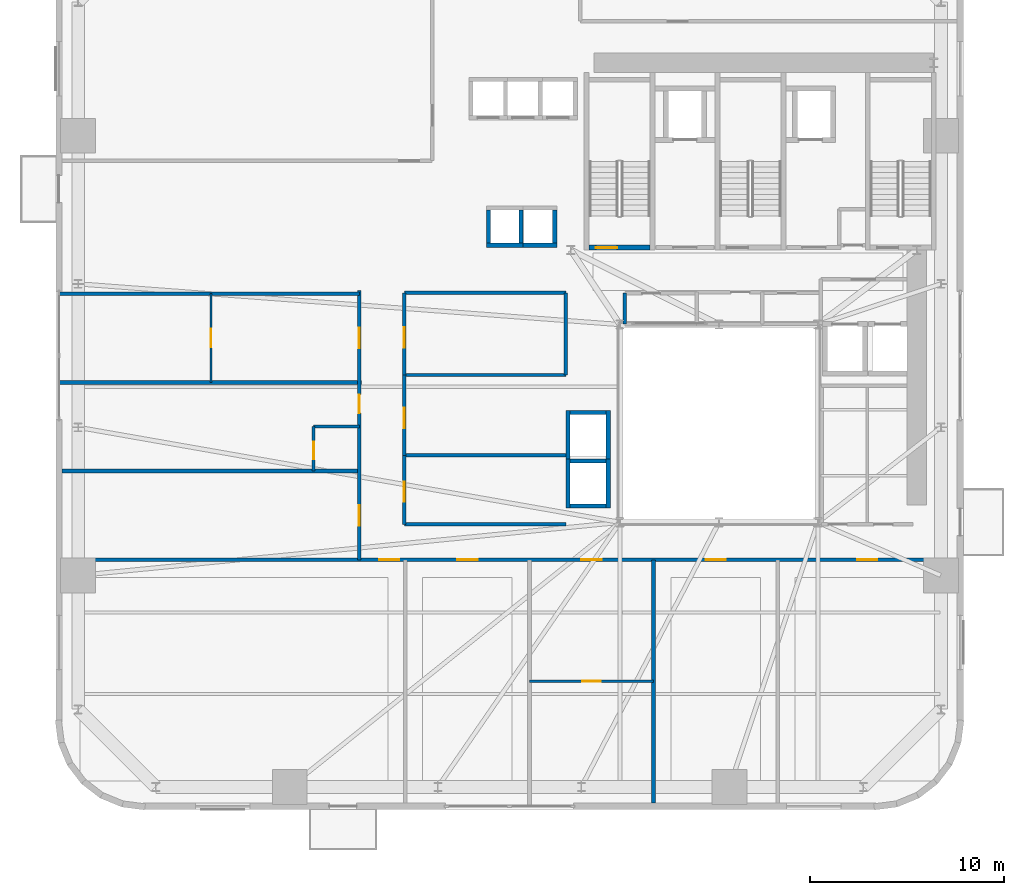
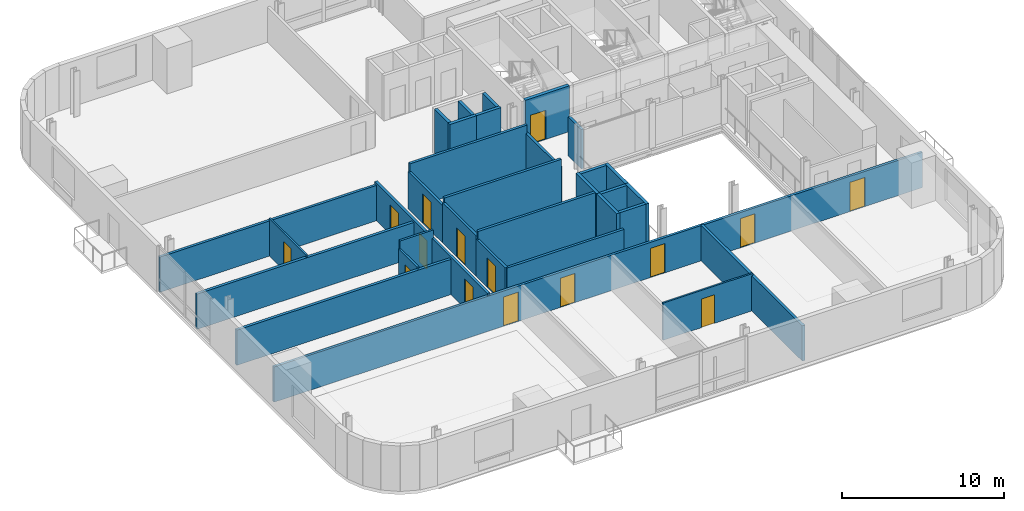
# One storey, part 6 of 13: 32 walls, 15 doors, 15 openings.
"""IFC4 building model written with IfcOpenShell, lengths in metres."""

from ifc_helpers import new_model, si_unit, direction, frame, frame_2d, origin, place, context, subcontext, project, spatial, rectangle, extrude, source, transform, mapped, material, layer, layer_set, type_object, element, fill, save


model = new_model("IFC4")

# Units and contexts
model_context = context("Model", 3, precision=1e-05, world=origin(), true_north=direction((0.0, 1.0)))
body_context = subcontext(model_context, "Body", "Model", "MODEL_VIEW")
ifc_project = project(units=[si_unit("LENGTHUNIT", "METRE"), si_unit("AREAUNIT", "SQUARE_METRE"), si_unit("VOLUMEUNIT", "CUBIC_METRE"), si_unit("PLANEANGLEUNIT", "RADIAN"), si_unit("MASSUNIT", "GRAM", prefix="KILO")], contexts=[model_context])

# Site, building, storey
site_placement = place(None, origin())
site = spatial("IfcSite", under=ifc_project, at=site_placement, CompositionType="ELEMENT")
building_placement = place(site_placement, origin())
building = spatial("IfcBuilding", under=site, at=building_placement, Name="Vardaveli Station Tower", CompositionType="ELEMENT")
storey_placement = place(building_placement, frame((0.0, 0.0, 34.89990234375)))
storey = spatial("IfcBuildingStorey", under=building, at=storey_placement, Name="L08", CompositionType="ELEMENT", Elevation=34.89990234375)

# Wall, opening, door
ifc_material_1 = material(Name="Concrete C40/50", Category="concrete")
ifc_layer_1 = layer(ifc_material_1, 0.25, Name="Concrete C40/50")
ifc_layer_set_1 = layer_set([ifc_layer_1], Name="Concrete C40/50")
wall_type_1 = type_object("IfcWallType", Name="WAL-SHAFT-250", PredefinedType="SOLIDWALL", material=ifc_layer_set_1)
shared_shape_1 = source(origin(), body_context, "Body", "SweptSolid", [
    extrude(rectangle(XDim=3.14990234375, YDim=0.25, at=frame_2d((1.574951171875, 0.0))), origin(), (0.0, 0.0, 1.0), 3.4501953125),
])
wall_1_placement = place(storey_placement, frame((29.60009765625, 30.77490234375, 0.0), z_axis=(0.0, 0.0, 1.0), x_axis=(1.0, 0.0, 0.0)))
wall_1 = element("IfcWall", 1, at=wall_1_placement, inside=storey, type_object=wall_type_1, Name="W-L08-ST-1S", PredefinedType="SOLIDWALL", context=body_context, shape_type="MappedRepresentation", body=[
    mapped(shared_shape_1, transform((0.0, 0.0, 0.0), scale=1.0)),
])
shared_shape_2 = source(origin(), body_context, "Body", "SweptSolid", [
    extrude(rectangle(XDim=1.10009765625, YDim=2.199951171875, at=frame_2d((0.550048828125, 1.10009765625))), frame((0.0, 0.135009765625, 0.0), z_axis=(0.0, -1.0, 0.0), x_axis=(1.0, 0.0, 0.0)), (0.0, 0.0, 1.0), 0.27001953125),
])
opening_1_placement = place(wall_1_placement, frame((0.35009765625, 0.0, 0.0)))
opening_1 = element("IfcOpeningElement", 2, at=opening_1_placement, cuts=wall_1, Name="Opening D-04", PredefinedType="OPENING", context=body_context, shape_type="MappedRepresentation", body=[
    mapped(shared_shape_2, transform((0.0, 0.0, 0.0), scale=1.0)),
])
ifc_material_2 = material(Name="Steel smokeproof fire doorset", Category="steel")
door_type_1 = type_object("IfcDoorType", Name="DR-ST-1100x2200", OperationType="NOTDEFINED", PredefinedType="DOOR", material=ifc_material_2)
shared_shape_3 = source(origin(), body_context, "Body", "SweptSolid", [
    extrude(rectangle(XDim=1.10009765625, YDim=2.199951171875, at=frame_2d((0.550048828125, 1.10009765625))), frame((0.0, 0.02490234375, 0.0), z_axis=(0.0, -1.0, 0.0), x_axis=(1.0, 0.0, 0.0)), (0.0, 0.0, 1.0), 0.050048828125),
])
door_1_placement = place(opening_1_placement, origin())
door_1 = element("IfcDoor", 3, at=door_1_placement, inside=storey, type_object=door_type_1, Name="DST-1-L08", OperationType="SINGLE_SWING_LEFT", OverallHeight=2.199951171875, OverallWidth=1.10009765625, PredefinedType="DOOR", context=body_context, shape_type="MappedRepresentation", body=[
    mapped(shared_shape_3, transform((0.0, 0.0, 0.0), scale=1.0)),
])
fill(opening_1, door_1)

# Walls
ifc_layer_2 = layer(ifc_material_1, 0.219970703125, Name="Concrete C40/50")
ifc_layer_set_2 = layer_set([ifc_layer_2], Name="Concrete C40/50")
wall_type_2 = type_object("IfcWallType", Name="WAL-FFLOBBY-220", PredefinedType="SOLIDWALL", material=ifc_layer_set_2)
shared_shape_4 = source(origin(), body_context, "Body", "SweptSolid", [
    extrude(rectangle(XDim=1.89013671875, YDim=0.219970703125, at=frame_2d((0.945068359375, 0.0))), origin(), (0.0, 0.0, 1.0), 3.41015625),
])
for number, where, z_axis, x_axis, name in (
    (4, (24.304931640625, 30.889892578125, 0.0), (0.0, 0.0, 1.0), (1.0, 0.0, 0.0), "SHW-SHU-01-L08-S"),
    (5, (26.054931640625, 30.889892578125, 0.0), (0.0, 0.0, 1.0), (1.0, 0.0, 0.0), "SHW-SHU-02-L08-S"),
):
    element("IfcWall", number, at=place(storey_placement, frame(where, z_axis=z_axis, x_axis=x_axis)), inside=storey, type_object=wall_type_2, Name=name, PredefinedType="SOLIDWALL", context=body_context, shape_type="MappedRepresentation", body=[
        mapped(shared_shape_4, transform((0.0, 0.0, 0.0), scale=1.0)),
    ])
shared_shape_5 = source(origin(), body_context, "Body", "SweptSolid", [
    extrude(rectangle(XDim=1.699951171875, YDim=0.219970703125, at=frame_2d((0.85009765625, 0.0))), origin(), (0.0, 0.0, 1.0), 3.41015625),
])
for number, where, z_axis, x_axis, name in (
    (6, (24.4150390625, 31.0, 0.0), (0.0, 0.0, 1.0), (0.0, 1.0, 0.0), "SHW-SHU-01-L08-W"),
    (7, (26.0849609375, 31.0, 0.0), (0.0, 0.0, 1.0), (0.0, 1.0, 0.0), "SHW-SHU-01-L08-E"),
    (8, (27.8349609375, 31.0, 0.0), (0.0, 0.0, 1.0), (0.0, 1.0, 0.0), "SHW-SHU-02-L08-E"),
):
    element("IfcWall", number, at=place(storey_placement, frame(where, z_axis=z_axis, x_axis=x_axis)), inside=storey, type_object=wall_type_2, Name=name, PredefinedType="SOLIDWALL", context=body_context, shape_type="MappedRepresentation", body=[
        mapped(shared_shape_5, transform((0.0, 0.0, 0.0), scale=1.0)),
    ])
shared_shape_6 = source(origin(), body_context, "Body", "SweptSolid", [
    extrude(rectangle(XDim=1.85009765625, YDim=0.219970703125, at=frame_2d((0.925048828125, 0.0))), origin(), (0.0, 0.0, 1.0), 3.41015625),
])
for number, where, z_axis, x_axis, name in (
    (9, (28.625, 17.43994140625, 0.0), (0.0, 0.0, 1.0), (1.0, 0.0, 0.0), "SHW-OBS-01-L08-S"),
    (10, (28.625, 19.760009765625, 0.0), (0.0, 0.0, 1.0), (1.0, 0.0, 0.0), "SHW-OBS-01-L08-N"),
    (11, (28.625, 22.260009765625, 0.0), (0.0, 0.0, 1.0), (1.0, 0.0, 0.0), "SHW-OBS-02-L08-N"),
):
    element("IfcWall", number, at=place(storey_placement, frame(where, z_axis=z_axis, x_axis=x_axis)), inside=storey, type_object=wall_type_2, Name=name, PredefinedType="SOLIDWALL", context=body_context, shape_type="MappedRepresentation", body=[
        mapped(shared_shape_6, transform((0.0, 0.0, 0.0), scale=1.0)),
    ])
shared_shape_7 = source(origin(), body_context, "Body", "SweptSolid", [
    extrude(rectangle(XDim=2.5400390625, YDim=0.219970703125, at=frame_2d((1.27001953125, 0.0))), origin(), (0.0, 0.0, 1.0), 3.41015625),
])
for number, where, z_axis, x_axis, name in (
    (12, (28.514892578125, 17.330078125, 0.0), (0.0, 0.0, 1.0), (0.0, 1.0, 0.0), "SHW-OBS-01-L08-W"),
    (13, (30.5849609375, 17.330078125, 0.0), (0.0, 0.0, 1.0), (0.0, 1.0, 0.0), "SHW-OBS-01-L08-E"),
    (14, (28.514892578125, 19.830078125, 0.0), (0.0, 0.0, 1.0), (0.0, 1.0, 0.0), "SHW-OBS-02-L08-W"),
    (15, (30.5849609375, 19.830078125, 0.0), (0.0, 0.0, 1.0), (0.0, 1.0, 0.0), "SHW-OBS-02-L08-E"),
):
    element("IfcWall", number, at=place(storey_placement, frame(where, z_axis=z_axis, x_axis=x_axis)), inside=storey, type_object=wall_type_2, Name=name, PredefinedType="SOLIDWALL", context=body_context, shape_type="MappedRepresentation", body=[
        mapped(shared_shape_7, transform((0.0, 0.0, 0.0), scale=1.0)),
    ])

# Wall, openings, doors
ifc_material_3 = material(Name="Fire-rated gypsum stud partition")
ifc_layer_3 = layer(ifc_material_3, 0.179931640625, Name="Fire-rated gypsum stud partition")
ifc_layer_set_3 = layer_set([ifc_layer_3], Name="Fire-rated gypsum stud partition")
wall_type_3 = type_object("IfcWallType", Name="WAL-CORR-180", PredefinedType="PARTITIONING", material=ifc_layer_set_3)
shared_shape_8 = source(origin(), body_context, "Body", "SweptSolid", [
    extrude(rectangle(XDim=13.89013671875, YDim=0.179931640625, at=frame_2d((6.945068359375, 0.0))), origin(), (0.0, 0.0, 1.0), 2.802001953125),
])
wall_2_placement = place(storey_placement, frame((17.75, 14.659912109375, 0.0), z_axis=(0.0, 0.0, 1.0), x_axis=(0.0, 1.0, 0.0)))
wall_2 = element("IfcWall", 16, at=wall_2_placement, inside=storey, type_object=wall_type_3, Name="W-L08-CW", PredefinedType="PARTITIONING", context=body_context, shape_type="MappedRepresentation", body=[
    mapped(shared_shape_8, transform((0.0, 0.0, 0.0), scale=1.0)),
])
shared_shape_9 = source(origin(), body_context, "Body", "SweptSolid", [
    extrude(rectangle(XDim=1.050048828125, YDim=2.199951171875, at=frame_2d((0.52490234375, 1.10009765625))), frame((0.0, 0.10009765625, 0.0), z_axis=(0.0, -1.0, 0.0), x_axis=(1.0, 0.0, 0.0)), (0.0, 0.0, 1.0), 0.199951171875),
])
opening_2_placement = place(wall_2_placement, frame((1.77001953125, 0.0, 0.0)))
opening_2 = element("IfcOpeningElement", 17, at=opening_2_placement, cuts=wall_2, Name="Opening D-05", PredefinedType="OPENING", context=body_context, shape_type="MappedRepresentation", body=[
    mapped(shared_shape_9, transform((0.0, 0.0, 0.0), scale=1.0)),
])
shared_shape_10 = source(origin(), body_context, "Body", "SweptSolid", [
    extrude(rectangle(XDim=0.949951171875, YDim=2.14990234375, at=frame_2d((0.47509765625, 1.074951171875))), frame((0.0, 0.10009765625, 0.0), z_axis=(0.0, -1.0, 0.0), x_axis=(1.0, 0.0, 0.0)), (0.0, 0.0, 1.0), 0.199951171875),
])
opening_3_placement = place(wall_2_placement, frame((7.574951171875, 0.0, 0.0)))
opening_3 = element("IfcOpeningElement", 18, at=opening_3_placement, cuts=wall_2, Name="Opening D-06", PredefinedType="OPENING", context=body_context, shape_type="MappedRepresentation", body=[
    mapped(shared_shape_10, transform((0.0, 0.0, 0.0), scale=1.0)),
])
opening_4_placement = place(wall_2_placement, frame((10.929931640625, 0.0, 0.0)))
opening_4 = element("IfcOpeningElement", 19, at=opening_4_placement, cuts=wall_2, Name="Opening D-05", PredefinedType="OPENING", context=body_context, shape_type="MappedRepresentation", body=[
    mapped(shared_shape_9, transform((0.0, 0.0, 0.0), scale=1.0)),
])
ifc_material_4 = material(Name="Walnut veneer acoustic fire door")
door_type_2 = type_object("IfcDoorType", Name="DR-SUITE-1050x2200", OperationType="NOTDEFINED", PredefinedType="DOOR", material=ifc_material_4)
shared_shape_11 = source(origin(), body_context, "Body", "SweptSolid", [
    extrude(rectangle(XDim=1.050048828125, YDim=2.199951171875, at=frame_2d((0.52490234375, 1.10009765625))), frame((0.0, 0.02490234375, 0.0), z_axis=(0.0, -1.0, 0.0), x_axis=(1.0, 0.0, 0.0)), (0.0, 0.0, 1.0), 0.050048828125),
])
door_2_placement = place(opening_2_placement, origin())
door_2 = element("IfcDoor", 20, at=door_2_placement, inside=storey, type_object=door_type_2, Name="D-L08-GW1", OperationType="SINGLE_SWING_LEFT", OverallHeight=2.199951171875, OverallWidth=1.050048828125, PredefinedType="DOOR", context=body_context, shape_type="MappedRepresentation", body=[
    mapped(shared_shape_11, transform((0.0, 0.0, 0.0), scale=1.0)),
])
fill(opening_2, door_2)
door_3_placement = place(opening_4_placement, origin())
door_3 = element("IfcDoor", 21, at=door_3_placement, inside=storey, type_object=door_type_2, Name="D-L08-GW3", OperationType="SINGLE_SWING_LEFT", OverallHeight=2.199951171875, OverallWidth=1.050048828125, PredefinedType="DOOR", context=body_context, shape_type="MappedRepresentation", body=[
    mapped(shared_shape_11, transform((0.0, 0.0, 0.0), scale=1.0)),
])
fill(opening_4, door_3)
ifc_material_5 = material(Name="Oak veneer acoustic fire door")
door_type_3 = type_object("IfcDoorType", Name="DR-GUEST-950x2150", OperationType="NOTDEFINED", PredefinedType="DOOR", material=ifc_material_5)
shared_shape_12 = source(origin(), body_context, "Body", "SweptSolid", [
    extrude(rectangle(XDim=0.949951171875, YDim=2.14990234375, at=frame_2d((0.47509765625, 1.074951171875))), frame((0.0, 0.02490234375, 0.0), z_axis=(0.0, -1.0, 0.0), x_axis=(1.0, 0.0, 0.0)), (0.0, 0.0, 1.0), 0.050048828125),
])
door_4_placement = place(opening_3_placement, origin())
door_4 = element("IfcDoor", 22, at=door_4_placement, inside=storey, type_object=door_type_3, Name="D-L08-GW2", OperationType="SINGLE_SWING_RIGHT", OverallHeight=2.14990234375, OverallWidth=0.949951171875, PredefinedType="DOOR", context=body_context, shape_type="MappedRepresentation", body=[
    mapped(shared_shape_12, transform((0.0, 0.0, 0.0), scale=1.0)),
])
fill(opening_3, door_4)

# Wall, opening, door
ifc_material_6 = material(Name="Gypsum board stud partition")
ifc_layer_4 = layer(ifc_material_6, 0.125, Name="Gypsum board stud partition")
ifc_layer_set_4 = layer_set([ifc_layer_4], Name="Gypsum board stud partition")
wall_type_4 = type_object("IfcWallType", Name="WAL-INT-125", PredefinedType="PARTITIONING", material=ifc_layer_set_4)
shared_shape_13 = source(origin(), body_context, "Body", "SweptSolid", [
    extrude(rectangle(XDim=6.404052734375, YDim=0.125, at=frame_2d((3.2021484375, 0.0))), origin(), (0.0, 0.0, 1.0), 2.802001953125),
])
wall_3_placement = place(storey_placement, frame((26.52294921875, 8.405029296875, 0.0), z_axis=(0.0, 0.0, 1.0), x_axis=(1.0, 0.0, 0.0)))
wall_3 = element("IfcWall", 23, at=wall_3_placement, inside=storey, type_object=wall_type_4, Name="W-L08-SCM3", PredefinedType="PARTITIONING", context=body_context, shape_type="MappedRepresentation", body=[
    mapped(shared_shape_13, transform((0.0, 0.0, 0.0), scale=1.0)),
])
shared_shape_14 = source(origin(), body_context, "Body", "SweptSolid", [
    extrude(rectangle(XDim=0.949951171875, YDim=2.14990234375, at=frame_2d((0.47509765625, 1.074951171875))), frame((0.0, 0.072509765625, 0.0), z_axis=(0.0, -1.0, 0.0), x_axis=(1.0, 0.0, 0.0)), (0.0, 0.0, 1.0), 0.14501953125),
])
opening_5_placement = place(wall_3_placement, frame((2.7216796875, 0.0, 0.0)))
opening_5 = element("IfcOpeningElement", 24, at=opening_5_placement, cuts=wall_3, Name="Opening D-11", PredefinedType="OPENING", context=body_context, shape_type="MappedRepresentation", body=[
    mapped(shared_shape_14, transform((0.0, 0.0, 0.0), scale=1.0)),
])
ifc_material_7 = material(Name="Oak veneer internal suite door")
door_type_4 = type_object("IfcDoorType", Name="DR-INT-950x2150", OperationType="NOTDEFINED", PredefinedType="DOOR", material=ifc_material_7)
door_5_placement = place(opening_5_placement, origin())
door_5 = element("IfcDoor", 25, at=door_5_placement, inside=storey, type_object=door_type_4, Name="D-L08-SCF3", OperationType="SINGLE_SWING_LEFT", OverallHeight=2.14990234375, OverallWidth=0.949951171875, PredefinedType="DOOR", context=body_context, shape_type="MappedRepresentation", body=[
    mapped(shared_shape_12, transform((0.0, 0.0, 0.0), scale=1.0)),
])
fill(opening_5, door_5)

shared_shape_15 = source(origin(), body_context, "Body", "SweptSolid", [
    extrude(rectangle(XDim=4.579833984375, YDim=0.125, at=frame_2d((2.2900390625, 0.0))), origin(), (0.0, 0.0, 1.0), 2.802001953125),
])
wall_4_placement = place(storey_placement, frame((10.10009765625, 23.820068359375, 0.0), z_axis=(0.0, 0.0, 1.0), x_axis=(0.0, 1.0, 0.0)))
wall_4 = element("IfcWall", 26, at=wall_4_placement, inside=storey, type_object=wall_type_4, Name="W-L08-WCM3", PredefinedType="PARTITIONING", context=body_context, shape_type="MappedRepresentation", body=[
    mapped(shared_shape_15, transform((0.0, 0.0, 0.0), scale=1.0)),
])
opening_6_placement = place(wall_4_placement, frame((1.81005859375, 0.0, 0.0)))
opening_6 = element("IfcOpeningElement", 27, at=opening_6_placement, cuts=wall_4, Name="Opening D-11", PredefinedType="OPENING", context=body_context, shape_type="MappedRepresentation", body=[
    mapped(shared_shape_14, transform((0.0, 0.0, 0.0), scale=1.0)),
])
door_6_placement = place(opening_6_placement, origin())
door_6 = element("IfcDoor", 28, at=door_6_placement, inside=storey, type_object=door_type_4, Name="D-L08-GWF3", OperationType="SINGLE_SWING_LEFT", OverallHeight=2.14990234375, OverallWidth=0.949951171875, PredefinedType="DOOR", context=body_context, shape_type="MappedRepresentation", body=[
    mapped(shared_shape_12, transform((0.0, 0.0, 0.0), scale=1.0)),
])
fill(opening_6, door_6)

ifc_material_8 = material(Name="Moisture-resistant stud partition")
ifc_layer_5 = layer(ifc_material_8, 0.14990234375, Name="Moisture-resistant stud partition")
ifc_layer_set_5 = layer_set([ifc_layer_5], Name="Moisture-resistant stud partition")
wall_type_5 = type_object("IfcWallType", Name="WAL-WET-150", PredefinedType="PARTITIONING", material=ifc_layer_set_5)
shared_shape_16 = source(origin(), body_context, "Body", "SweptSolid", [
    extrude(rectangle(XDim=2.2900390625, YDim=0.14990234375, at=frame_2d((1.14501953125, 0.0))), origin(), (0.0, 0.0, 1.0), 2.802001953125),
])
wall_5_placement = place(storey_placement, frame((15.389892578125, 19.260009765625, 0.0), z_axis=(0.0, 0.0, 1.0), x_axis=(0.0, 1.0, 0.0)))
wall_5 = element("IfcWall", 29, at=wall_5_placement, inside=storey, type_object=wall_type_5, Name="W-L08-BW2-W", PredefinedType="PARTITIONING", context=body_context, shape_type="MappedRepresentation", body=[
    mapped(shared_shape_16, transform((0.0, 0.0, 0.0), scale=1.0)),
])
shared_shape_17 = source(origin(), body_context, "Body", "SweptSolid", [
    extrude(rectangle(XDim=0.89990234375, YDim=2.10009765625, at=frame_2d((0.449951171875, 1.050048828125))), frame((0.0, 0.0849609375, 0.0), z_axis=(0.0, -1.0, 0.0), x_axis=(1.0, 0.0, 0.0)), (0.0, 0.0, 1.0), 0.169921875),
])
opening_7_placement = place(wall_5_placement, frame((0.60009765625, 0.0, 0.0)))
opening_7 = element("IfcOpeningElement", 30, at=opening_7_placement, cuts=wall_5, Name="Opening D-08", PredefinedType="OPENING", context=body_context, shape_type="MappedRepresentation", body=[
    mapped(shared_shape_17, transform((0.0, 0.0, 0.0), scale=1.0)),
])
ifc_material_9 = material(Name="Moisture-resistant oak door")
door_type_5 = type_object("IfcDoorType", Name="DR-BATH-900x2100", OperationType="NOTDEFINED", PredefinedType="DOOR", material=ifc_material_9)
shared_shape_18 = source(origin(), body_context, "Body", "SweptSolid", [
    extrude(rectangle(XDim=0.89990234375, YDim=2.10009765625, at=frame_2d((0.449951171875, 1.050048828125))), frame((0.0, 0.02490234375, 0.0), z_axis=(0.0, -1.0, 0.0), x_axis=(1.0, 0.0, 0.0)), (0.0, 0.0, 1.0), 0.050048828125),
])
door_7_placement = place(opening_7_placement, origin())
door_7 = element("IfcDoor", 31, at=door_7_placement, inside=storey, type_object=door_type_5, Name="D-L08-BW2", OperationType="SINGLE_SWING_LEFT", OverallHeight=2.10009765625, OverallWidth=0.89990234375, PredefinedType="DOOR", context=body_context, shape_type="MappedRepresentation", body=[
    mapped(shared_shape_18, transform((0.0, 0.0, 0.0), scale=1.0)),
])
fill(opening_7, door_7)

# Wall
shared_shape_19 = source(origin(), body_context, "Body", "SweptSolid", [
    extrude(rectangle(XDim=8.329833984375, YDim=0.179931640625, at=frame_2d((4.1650390625, 0.0))), origin(), (0.0, 0.0, 1.0), 2.802001953125),
])
wall_6_placement = place(storey_placement, frame((20.070068359375, 16.5, 0.0), z_axis=(0.0, 0.0, 1.0), x_axis=(1.0, 0.0, 0.0)))
element("IfcWall", 32, at=wall_6_placement, inside=storey, type_object=wall_type_3, Name="W-L08-ATWA-S", PredefinedType="PARTITIONING", context=body_context, shape_type="MappedRepresentation", body=[
    mapped(shared_shape_19, transform((0.0, 0.0, 0.0), scale=1.0)),
])

# Wall, openings, doors
shared_shape_20 = source(origin(), body_context, "Body", "SweptSolid", [
    extrude(rectangle(XDim=46.15576171875, YDim=0.179931640625, at=frame_2d((23.077880859375, 0.0))), origin(), (0.0, 0.0, 1.0), 2.652099609375),
])
wall_7_placement = place(storey_placement, frame((2.422119140625, 14.659912109375, 0.0), z_axis=(0.0, 0.0, 1.0), x_axis=(1.0, 0.0, 0.0)))
wall_7 = element("IfcWall", 33, at=wall_7_placement, inside=storey, type_object=wall_type_3, Name="W-L08-CS", PredefinedType="PARTITIONING", context=body_context, shape_type="MappedRepresentation", body=[
    mapped(shared_shape_20, transform((0.0, 0.0, 0.0), scale=1.0)),
])
opening_8_placement = place(wall_7_placement, frame((16.347900390625, 0.0, 0.0)))
opening_8 = element("IfcOpeningElement", 34, at=opening_8_placement, cuts=wall_7, Name="Opening D-05", PredefinedType="OPENING", context=body_context, shape_type="MappedRepresentation", body=[
    mapped(shared_shape_9, transform((0.0, 0.0, 0.0), scale=1.0)),
])
opening_9_placement = place(wall_7_placement, frame((20.379638671875, 0.0, 0.0)))
opening_9 = element("IfcOpeningElement", 35, at=opening_9_placement, cuts=wall_7, Name="Opening D-05", PredefinedType="OPENING", context=body_context, shape_type="MappedRepresentation", body=[
    mapped(shared_shape_9, transform((0.0, 0.0, 0.0), scale=1.0)),
])
opening_10_placement = place(wall_7_placement, frame((26.782958984375, 0.0, 0.0)))
opening_10 = element("IfcOpeningElement", 36, at=opening_10_placement, cuts=wall_7, Name="Opening D-05", PredefinedType="OPENING", context=body_context, shape_type="MappedRepresentation", body=[
    mapped(shared_shape_9, transform((0.0, 0.0, 0.0), scale=1.0)),
])
opening_11_placement = place(wall_7_placement, frame((33.186279296875, 0.0, 0.0)))
opening_11 = element("IfcOpeningElement", 37, at=opening_11_placement, cuts=wall_7, Name="Opening D-05", PredefinedType="OPENING", context=body_context, shape_type="MappedRepresentation", body=[
    mapped(shared_shape_9, transform((0.0, 0.0, 0.0), scale=1.0)),
])
opening_12_placement = place(wall_7_placement, frame((40.998046875, 0.0, 0.0)))
opening_12 = element("IfcOpeningElement", 38, at=opening_12_placement, cuts=wall_7, Name="Opening D-05", PredefinedType="OPENING", context=body_context, shape_type="MappedRepresentation", body=[
    mapped(shared_shape_9, transform((0.0, 0.0, 0.0), scale=1.0)),
])
door_8_placement = place(opening_8_placement, origin())
door_8 = element("IfcDoor", 39, at=door_8_placement, inside=storey, type_object=door_type_2, Name="D-L08-SA1", OperationType="SINGLE_SWING_RIGHT", OverallHeight=2.199951171875, OverallWidth=1.050048828125, PredefinedType="DOOR", context=body_context, shape_type="MappedRepresentation", body=[
    mapped(shared_shape_11, transform((0.0, 0.0, 0.0), scale=1.0)),
])
fill(opening_8, door_8)
door_9_placement = place(opening_9_placement, origin())
door_9 = element("IfcDoor", 40, at=door_9_placement, inside=storey, type_object=door_type_2, Name="D-L08-SA2", OperationType="SINGLE_SWING_LEFT", OverallHeight=2.199951171875, OverallWidth=1.050048828125, PredefinedType="DOOR", context=body_context, shape_type="MappedRepresentation", body=[
    mapped(shared_shape_11, transform((0.0, 0.0, 0.0), scale=1.0)),
])
fill(opening_9, door_9)
door_10_placement = place(opening_10_placement, origin())
door_10 = element("IfcDoor", 41, at=door_10_placement, inside=storey, type_object=door_type_2, Name="D-L08-SCB3", OperationType="SINGLE_SWING_RIGHT", OverallHeight=2.199951171875, OverallWidth=1.050048828125, PredefinedType="DOOR", context=body_context, shape_type="MappedRepresentation", body=[
    mapped(shared_shape_11, transform((0.0, 0.0, 0.0), scale=1.0)),
])
fill(opening_10, door_10)
door_11_placement = place(opening_11_placement, origin())
door_11 = element("IfcDoor", 42, at=door_11_placement, inside=storey, type_object=door_type_2, Name="D-L08-SA4", OperationType="SINGLE_SWING_LEFT", OverallHeight=2.199951171875, OverallWidth=1.050048828125, PredefinedType="DOOR", context=body_context, shape_type="MappedRepresentation", body=[
    mapped(shared_shape_11, transform((0.0, 0.0, 0.0), scale=1.0)),
])
fill(opening_11, door_11)
door_12_placement = place(opening_12_placement, origin())
door_12 = element("IfcDoor", 43, at=door_12_placement, inside=storey, type_object=door_type_2, Name="D-L08-SA5", OperationType="SINGLE_SWING_RIGHT", OverallHeight=2.199951171875, OverallWidth=1.050048828125, PredefinedType="DOOR", context=body_context, shape_type="MappedRepresentation", body=[
    mapped(shared_shape_11, transform((0.0, 0.0, 0.0), scale=1.0)),
])
fill(opening_12, door_12)

# Walls
ifc_material_10 = material(Name="Acoustic twin-stud gypsum partition")
ifc_layer_6 = layer(ifc_material_10, 0.199951171875, Name="Acoustic twin-stud gypsum partition")
ifc_layer_set_6 = layer_set([ifc_layer_6], Name="Acoustic twin-stud gypsum partition")
wall_type_6 = type_object("IfcWallType", Name="WAL-PARTY-200", PredefinedType="PARTITIONING", material=ifc_layer_set_6)
shared_shape_21 = source(origin(), body_context, "Body", "SweptSolid", [
    extrude(rectangle(XDim=15.427978515625, YDim=0.199951171875, at=frame_2d((7.7138671875, 0.0))), origin(), (0.0, 0.0, 1.0), 2.652099609375),
])
wall_8_placement = place(storey_placement, frame((2.422119140625, 19.239990234375, 0.0), z_axis=(0.0, 0.0, 1.0), x_axis=(1.0, 0.0, 0.0)))
element("IfcWall", 44, at=wall_8_placement, inside=storey, type_object=wall_type_6, Name="W-L08-PW1", PredefinedType="PARTITIONING", context=body_context, shape_type="MappedRepresentation", body=[
    mapped(shared_shape_21, transform((0.0, 0.0, 0.0), scale=1.0)),
])
shared_shape_22 = source(origin(), body_context, "Body", "SweptSolid", [
    extrude(rectangle(XDim=15.6201171875, YDim=0.199951171875, at=frame_2d((7.81005859375, 0.0))), origin(), (0.0, 0.0, 1.0), 2.652099609375),
])
wall_9_placement = place(storey_placement, frame((2.22998046875, 23.820068359375, 0.0), z_axis=(0.0, 0.0, 1.0), x_axis=(1.0, 0.0, 0.0)))
element("IfcWall", 45, at=wall_9_placement, inside=storey, type_object=wall_type_6, Name="W-L08-PW2", PredefinedType="PARTITIONING", context=body_context, shape_type="MappedRepresentation", body=[
    mapped(shared_shape_22, transform((0.0, 0.0, 0.0), scale=1.0)),
])
shared_shape_23 = source(origin(), body_context, "Body", "SweptSolid", [
    extrude(rectangle(XDim=15.52001953125, YDim=0.179931640625, at=frame_2d((7.760009765625, 0.0))), origin(), (0.0, 0.0, 1.0), 2.652099609375),
])
wall_10_placement = place(storey_placement, frame((2.22998046875, 28.39990234375, 0.0), z_axis=(0.0, 0.0, 1.0), x_axis=(1.0, 0.0, 0.0)))
element("IfcWall", 46, at=wall_10_placement, inside=storey, type_object=wall_type_3, Name="W-L08-CWN", PredefinedType="PARTITIONING", context=body_context, shape_type="MappedRepresentation", body=[
    mapped(shared_shape_23, transform((0.0, 0.0, 0.0), scale=1.0)),
])
shared_shape_24 = source(origin(), body_context, "Body", "SweptSolid", [
    extrude(rectangle(XDim=12.537841796875, YDim=0.199951171875, at=frame_2d((6.26904296875, 0.0))), origin(), (0.0, 0.0, 1.0), 2.652099609375),
])
wall_11_placement = place(storey_placement, frame((32.927001953125, 2.1220703125, 0.0), z_axis=(0.0, 0.0, 1.0), x_axis=(0.0, 1.0, 0.0)))
element("IfcWall", 47, at=wall_11_placement, inside=storey, type_object=wall_type_6, Name="W-L08-PS3", PredefinedType="PARTITIONING", context=body_context, shape_type="MappedRepresentation", body=[
    mapped(shared_shape_24, transform((0.0, 0.0, 0.0), scale=1.0)),
])

# Wall, opening, door
shared_shape_25 = source(origin(), body_context, "Body", "SweptSolid", [
    extrude(rectangle(XDim=4.239990234375, YDim=0.179931640625, at=frame_2d((2.1201171875, 0.0))), origin(), (0.0, 0.0, 1.0), 2.802001953125),
])
wall_12_placement = place(storey_placement, frame((20.070068359375, 24.199951171875, 0.0), z_axis=(0.0, 0.0, 1.0), x_axis=(0.0, 1.0, 0.0)))
wall_12 = element("IfcWall", 48, at=wall_12_placement, inside=storey, type_object=wall_type_3, Name="W-L08-ATWC-W", PredefinedType="PARTITIONING", context=body_context, shape_type="MappedRepresentation", body=[
    mapped(shared_shape_25, transform((0.0, 0.0, 0.0), scale=1.0)),
])
opening_13_placement = place(wall_12_placement, frame((1.39990234375, 0.0, 0.0)))
opening_13 = element("IfcOpeningElement", 49, at=opening_13_placement, cuts=wall_12, Name="Opening D-05", PredefinedType="OPENING", context=body_context, shape_type="MappedRepresentation", body=[
    mapped(shared_shape_9, transform((0.0, 0.0, 0.0), scale=1.0)),
])
door_13_placement = place(opening_13_placement, origin())
door_13 = element("IfcDoor", 50, at=door_13_placement, inside=storey, type_object=door_type_2, Name="D-L08-ATW3", OperationType="SINGLE_SWING_RIGHT", OverallHeight=2.199951171875, OverallWidth=1.050048828125, PredefinedType="DOOR", context=body_context, shape_type="MappedRepresentation", body=[
    mapped(shared_shape_11, transform((0.0, 0.0, 0.0), scale=1.0)),
])
fill(opening_13, door_13)

# Wall
wall_13_placement = place(storey_placement, frame((28.39990234375, 24.199951171875, 0.0), z_axis=(0.0, 0.0, 1.0), x_axis=(0.0, 1.0, 0.0)))
element("IfcWall", 51, at=wall_13_placement, inside=storey, type_object=wall_type_3, Name="W-L08-ATWC-E", PredefinedType="PARTITIONING", context=body_context, shape_type="MappedRepresentation", body=[
    mapped(shared_shape_25, transform((0.0, 0.0, 0.0), scale=1.0)),
])

# Wall, opening, door
shared_shape_26 = source(origin(), body_context, "Body", "SweptSolid", [
    extrude(rectangle(XDim=4.14990234375, YDim=0.179931640625, at=frame_2d((2.074951171875, 0.0))), origin(), (0.0, 0.0, 1.0), 3.0419921875),
])
wall_14_placement = place(storey_placement, frame((20.070068359375, 20.050048828125, 0.0), z_axis=(0.0, 0.0, 1.0), x_axis=(0.0, 1.0, 0.0)))
wall_14 = element("IfcWall", 52, at=wall_14_placement, inside=storey, type_object=wall_type_3, Name="W-L08-ATWB-W", PredefinedType="PARTITIONING", context=body_context, shape_type="MappedRepresentation", body=[
    mapped(shared_shape_26, transform((0.0, 0.0, 0.0), scale=1.0)),
])
opening_14_placement = place(wall_14_placement, frame((1.39990234375, 0.0, 0.0)))
opening_14 = element("IfcOpeningElement", 53, at=opening_14_placement, cuts=wall_14, Name="Opening D-05", PredefinedType="OPENING", context=body_context, shape_type="MappedRepresentation", body=[
    mapped(shared_shape_9, transform((0.0, 0.0, 0.0), scale=1.0)),
])
door_14_placement = place(opening_14_placement, origin())
door_14 = element("IfcDoor", 54, at=door_14_placement, inside=storey, type_object=door_type_2, Name="D-L08-ATW2", OperationType="SINGLE_SWING_LEFT", OverallHeight=2.199951171875, OverallWidth=1.050048828125, PredefinedType="DOOR", context=body_context, shape_type="MappedRepresentation", body=[
    mapped(shared_shape_11, transform((0.0, 0.0, 0.0), scale=1.0)),
])
fill(opening_14, door_14)

shared_shape_27 = source(origin(), body_context, "Body", "SweptSolid", [
    extrude(rectangle(XDim=3.550048828125, YDim=0.179931640625, at=frame_2d((1.77490234375, 0.0))), origin(), (0.0, 0.0, 1.0), 2.802001953125),
])
wall_15_placement = place(storey_placement, frame((20.070068359375, 16.5, 0.0), z_axis=(0.0, 0.0, 1.0), x_axis=(0.0, 1.0, 0.0)))
wall_15 = element("IfcWall", 55, at=wall_15_placement, inside=storey, type_object=wall_type_3, Name="W-L08-ATWA-W", PredefinedType="PARTITIONING", context=body_context, shape_type="MappedRepresentation", body=[
    mapped(shared_shape_27, transform((0.0, 0.0, 0.0), scale=1.0)),
])
opening_15_placement = place(wall_15_placement, frame((1.14990234375, 0.0, 0.0)))
opening_15 = element("IfcOpeningElement", 56, at=opening_15_placement, cuts=wall_15, Name="Opening D-05", PredefinedType="OPENING", context=body_context, shape_type="MappedRepresentation", body=[
    mapped(shared_shape_9, transform((0.0, 0.0, 0.0), scale=1.0)),
])
door_15_placement = place(opening_15_placement, origin())
door_15 = element("IfcDoor", 57, at=door_15_placement, inside=storey, type_object=door_type_2, Name="D-L08-ATW1", OperationType="SINGLE_SWING_LEFT", OverallHeight=2.199951171875, OverallWidth=1.050048828125, PredefinedType="DOOR", context=body_context, shape_type="MappedRepresentation", body=[
    mapped(shared_shape_11, transform((0.0, 0.0, 0.0), scale=1.0)),
])
fill(opening_15, door_15)

# Walls
shared_shape_28 = source(origin(), body_context, "Body", "SweptSolid", [
    extrude(rectangle(XDim=8.329833984375, YDim=0.179931640625, at=frame_2d((4.1650390625, 0.0))), origin(), (0.0, 0.0, 1.0), 3.41015625),
])
for number, where, z_axis, x_axis, name in (
    (58, (20.070068359375, 20.050048828125, 0.0), (0.0, 0.0, 1.0), (1.0, 0.0, 0.0), "W-L08-ATWA-N"),
    (59, (20.070068359375, 24.199951171875, 0.0), (0.0, 0.0, 1.0), (1.0, 0.0, 0.0), "W-L08-ATWB-N"),
    (60, (20.070068359375, 28.43994140625, 0.0), (0.0, 0.0, 1.0), (1.0, 0.0, 0.0), "W-L08-ATWC-N"),
):
    element("IfcWall", number, at=place(storey_placement, frame(where, z_axis=z_axis, x_axis=x_axis)), inside=storey, type_object=wall_type_3, Name=name, PredefinedType="PARTITIONING", context=body_context, shape_type="MappedRepresentation", body=[
        mapped(shared_shape_28, transform((0.0, 0.0, 0.0), scale=1.0)),
    ])
shared_shape_29 = source(origin(), body_context, "Body", "SweptSolid", [
    extrude(rectangle(XDim=2.360107421875, YDim=0.14990234375, at=frame_2d((1.18017578125, 0.0))), origin(), (0.0, 0.0, 1.0), 3.41015625),
])
wall_16_placement = place(storey_placement, frame((15.389892578125, 21.550048828125, 0.0), z_axis=(0.0, 0.0, 1.0), x_axis=(1.0, 0.0, 0.0)))
element("IfcWall", 61, at=wall_16_placement, inside=storey, type_object=wall_type_5, Name="W-L08-BW2-N", PredefinedType="PARTITIONING", context=body_context, shape_type="MappedRepresentation", body=[
    mapped(shared_shape_29, transform((0.0, 0.0, 0.0), scale=1.0)),
])
shared_shape_30 = source(origin(), body_context, "Body", "SweptSolid", [
    extrude(rectangle(XDim=1.599853515625, YDim=0.179931640625, at=frame_2d((0.7998046875, 0.0))), origin(), (0.0, 0.0, 1.0), 2.9521484375),
])
wall_17_placement = place(storey_placement, frame((31.449951171875, 26.820068359375, 0.0), z_axis=(0.0, 0.0, 1.0), x_axis=(0.0, 1.0, 0.0)))
element("IfcWall", 62, at=wall_17_placement, inside=storey, type_object=wall_type_3, Name="W-L08-CS2A-W", PredefinedType="PARTITIONING", context=body_context, shape_type="MappedRepresentation", body=[
    mapped(shared_shape_30, transform((0.0, 0.0, 0.0), scale=1.0)),
])

save(model, "model.ifc")
